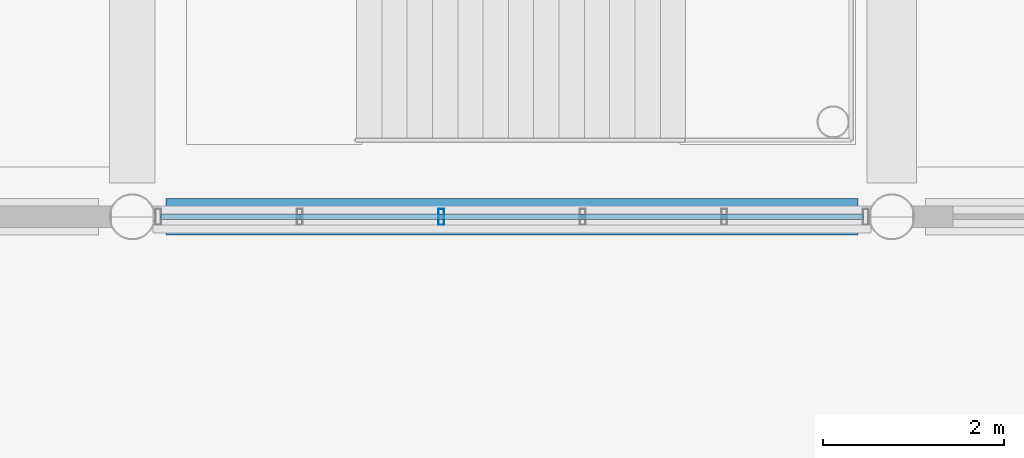
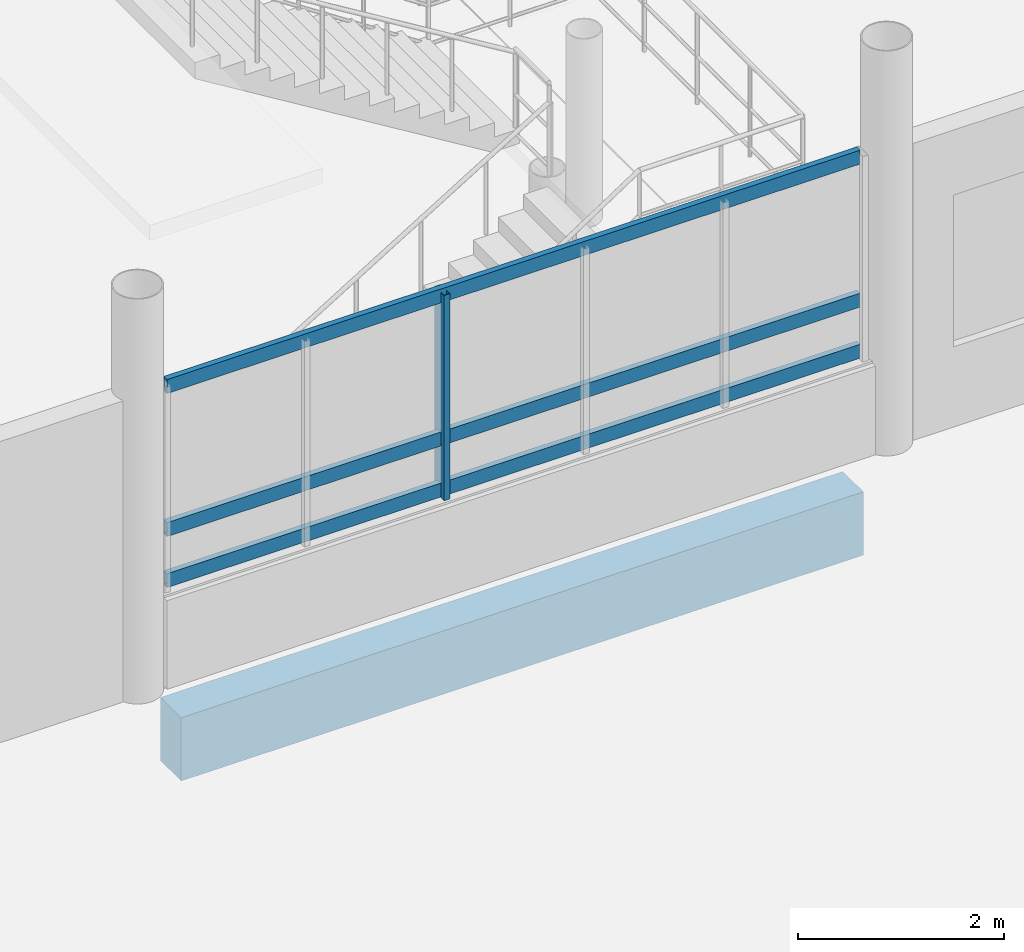
# One storey, part 47 of 95: 4 members, 1 beam, 1 element without a shape of its own.
"""IFC4 building model written with IfcOpenShell, lengths in metres."""

from ifc_helpers import new_model, si_unit, direction, frame, origin, origin_2d, place, context, subcontext, project, spatial, rectangle, hollow_rectangle, extrude, material, layer, layer_set, material_profile, profile_set, type_object, element, aggregate, save


model = new_model("IFC4")

# Units and contexts
model_context = context("Model", 3, precision=1e-05, world=origin(), true_north=direction((0.0, 1.0)))
body_context = subcontext(model_context, "Body", "Model", "MODEL_VIEW")
ifc_project = project(units=[si_unit("LENGTHUNIT", "METRE"), si_unit("AREAUNIT", "SQUARE_METRE"), si_unit("VOLUMEUNIT", "CUBIC_METRE"), si_unit("PLANEANGLEUNIT", "RADIAN"), si_unit("MASSUNIT", "GRAM", prefix="KILO")], contexts=[model_context])

# Site, building, storey
site_placement = place(None, origin())
site = spatial("IfcSite", under=ifc_project, at=site_placement, CompositionType="ELEMENT")
building_placement = place(site_placement, origin())
building = spatial("IfcBuilding", under=site, at=building_placement, Name="Vireocrest Preparatory School", CompositionType="ELEMENT")
storey_placement = place(building_placement, origin())
storey = spatial("IfcBuildingStorey", under=building, at=storey_placement, Name="L00", CompositionType="ELEMENT", Elevation=0.0)

# Curtain wall, members
ifc_material_1 = material(Name="Thermally broken aluminium EN AW-6063-T6", Category="aluminium")
ifc_layer = layer(ifc_material_1, 0.179931640625)
ifc_layer_set = layer_set([ifc_layer], Name="Thermally broken aluminium EN AW-6063-T6")
curtain_wall_type = type_object("IfcCurtainWallType", Name="Winter-Garden Curtain Wall 8400x6400", PredefinedType="USERDEFINED", material=ifc_layer_set)
curtain_wall_placement = place(storey_placement, origin())
curtain_wall = element("IfcCurtainWall", 1, at=curtain_wall_placement, inside=storey, type_object=curtain_wall_type, Name="Curtain Wall CW06 CW_L00_CW06_0758_0858_011", ObjectType="CURTAIN WALL", PredefinedType="USERDEFINED")
ifc_material_profile_1 = material_profile(ifc_material_1, hollow_rectangle(XDim=0.06494140625, YDim=0.179931640625, WallThickness=0.00390625, at=origin_2d()), Name="ALU 65x180x4")
ifc_profile_set_1 = profile_set([ifc_material_profile_1], Name="Thermally broken aluminium EN AW-6063-T6")
member_type_1 = type_object("IfcMemberType", Name="CW Mullion 65x180x4", PredefinedType="MULLION", material=ifc_profile_set_1)
member_1_placement = place(storey_placement, frame((79.017822265625, 85.800048828125, 1.10009765625), z_axis=(0.0, 0.0, 1.0), x_axis=(1.0, 0.0, 0.0)))
member_1 = element("IfcMember", 2, at=member_1_placement, type_object=member_type_1, Name="CW Mullion ML2 CW_L00_CW06_0758_0858_011-3", PredefinedType="MULLION", context=body_context, shape_type="SweptSolid", body=[
    extrude(hollow_rectangle(XDim=0.06494140625, YDim=0.179931640625, WallThickness=0.00390625, at=origin_2d()), origin(), (0.0, 0.0, 1.0), 2.434814453125),
])
ifc_material_profile_2 = material_profile(ifc_material_1, hollow_rectangle(XDim=0.06494140625, YDim=0.1650390625, WallThickness=0.00390625, at=origin_2d()), Name="ALU 65x165x4")
ifc_profile_set_2 = profile_set([ifc_material_profile_2], Name="Thermally broken aluminium EN AW-6063-T6")
member_type_2 = type_object("IfcMemberType", Name="CW Transom 65x165x4", PredefinedType="USERDEFINED", material=ifc_profile_set_2)
member_2_placement = place(storey_placement, frame((75.9140625, 85.800048828125, 1.195068359375), z_axis=(1.0, 0.0, 0.0), x_axis=(0.0, 1.0, 0.0)))
member_2 = element("IfcMember", 3, at=member_2_placement, type_object=member_type_2, Name="CW Transom TR2 CW_L00_CW06_0758_0858_011-1", ObjectType="TRANSOM", PredefinedType="USERDEFINED", context=body_context, shape_type="SweptSolid", body=[
    extrude(hollow_rectangle(XDim=0.06494140625, YDim=0.1650390625, WallThickness=0.00390625, at=origin_2d()), origin(), (0.0, 0.0, 1.0), 7.77197265625),
])
member_3_placement = place(storey_placement, frame((75.9140625, 85.800048828125, 1.800048828125), z_axis=(1.0, 0.0, 0.0), x_axis=(0.0, 1.0, 0.0)))
member_3 = element("IfcMember", 4, at=member_3_placement, type_object=member_type_2, Name="CW Transom TR2 CW_L00_CW06_0758_0858_011-2", ObjectType="TRANSOM", PredefinedType="USERDEFINED", context=body_context, shape_type="SweptSolid", body=[
    extrude(hollow_rectangle(XDim=0.06494140625, YDim=0.1650390625, WallThickness=0.00390625, at=origin_2d()), origin(), (0.0, 0.0, 1.0), 7.77197265625),
])
member_4_placement = place(storey_placement, frame((75.9140625, 85.800048828125, 3.4951171875), z_axis=(1.0, 0.0, 0.0), x_axis=(0.0, 1.0, 0.0)))
member_4 = element("IfcMember", 5, at=member_4_placement, type_object=member_type_2, Name="CW Transom TR2 CW_L00_CW06_0758_0858_011-3", ObjectType="TRANSOM", PredefinedType="USERDEFINED", context=body_context, shape_type="SweptSolid", body=[
    extrude(hollow_rectangle(XDim=0.06494140625, YDim=0.1650390625, WallThickness=0.00390625, at=origin_2d()), origin(), (0.0, 0.0, 1.0), 7.77197265625),
])
aggregate(curtain_wall, [member_1, member_2, member_3, member_4])

# Beam
ifc_material_2 = material(Name="Concrete 40 MPa", Category="concrete")
ifc_material_profile_3 = material_profile(ifc_material_2, rectangle(XDim=0.39990234375, YDim=0.75, at=origin_2d()), Name="RC 400x750")
ifc_profile_set_3 = profile_set([ifc_material_profile_3], Name="Concrete 40 MPa")
beam_type = type_object("IfcBeamType", Name="RC Commons Girder 400x750", PredefinedType="BEAM", material=ifc_profile_set_3)
beam_placement = place(storey_placement, frame((75.97509765625, 85.800048828125, -0.72509765625), z_axis=(1.0, 0.0, 0.0), x_axis=(0.0, 1.0, 0.0)))
element("IfcBeam", 6, at=beam_placement, inside=storey, type_object=beam_type, Name="Primary Girder B09 L00-0097", PredefinedType="BEAM", context=body_context, shape_type="SweptSolid", body=[
    extrude(rectangle(XDim=0.39990234375, YDim=0.75, at=origin_2d()), origin(), (0.0, 0.0, 1.0), 7.64990234375),
])

save(model, "model.ifc")
